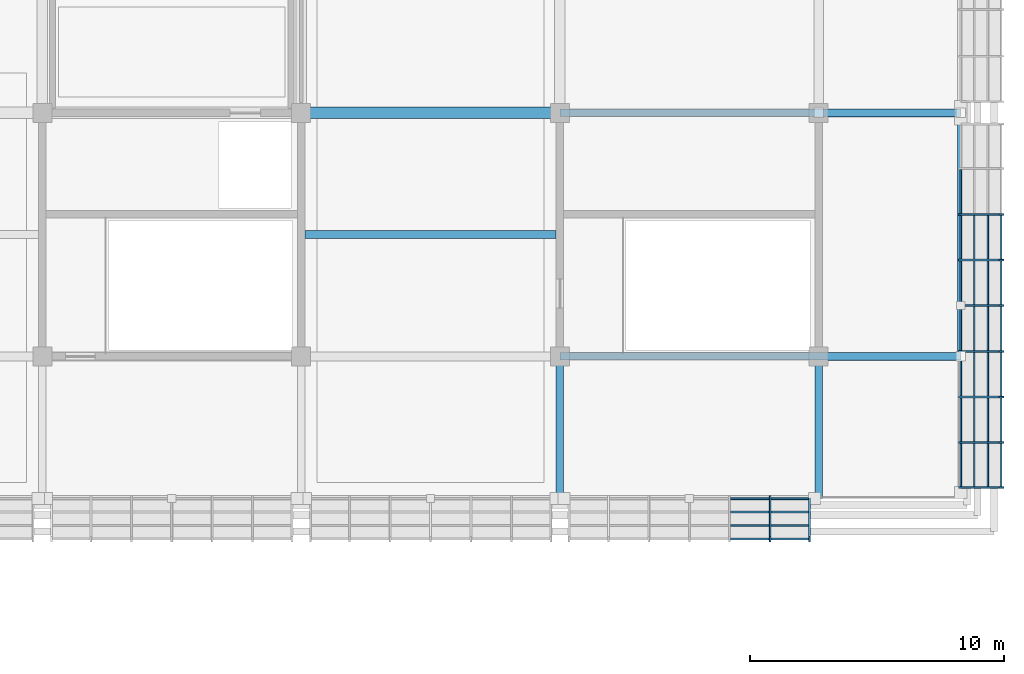
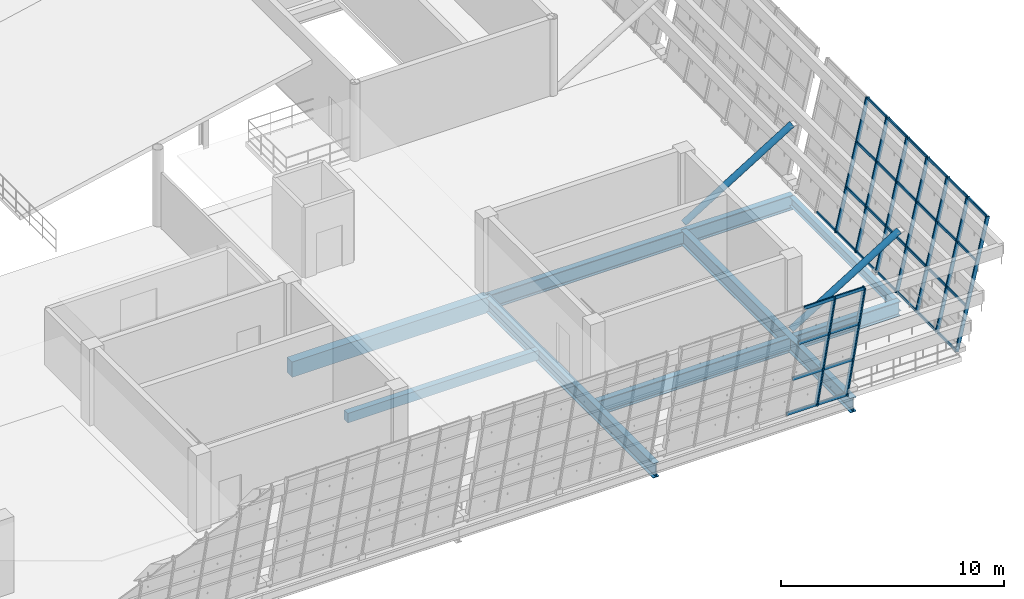
# One storey, part 65 of 157: 44 members, 7 beams, 2 elements without a shape of their own.
"""IFC4 building model written with IfcOpenShell, lengths in metres."""

from ifc_helpers import new_model, si_unit, direction, frame, origin, origin_2d, place, context, subcontext, project, spatial, rectangle, hollow_rectangle, hollow_circle, i_section, extrude, material, material_profile, profile_set, type_object, element, aggregate, save


model = new_model("IFC4")

# Units and contexts
model_context = context("Model", 3, precision=1e-05, world=origin(), true_north=direction((0.0, 1.0)))
body_context = subcontext(model_context, "Body", "Model", "MODEL_VIEW")
ifc_project = project(units=[si_unit("LENGTHUNIT", "METRE"), si_unit("AREAUNIT", "SQUARE_METRE"), si_unit("VOLUMEUNIT", "CUBIC_METRE"), si_unit("PLANEANGLEUNIT", "RADIAN"), si_unit("MASSUNIT", "GRAM", prefix="KILO")], contexts=[model_context])

# Site, building, storey
site_placement = place(None, origin())
site = spatial("IfcSite", under=ifc_project, at=site_placement, CompositionType="ELEMENT")
building_placement = place(site_placement, origin())
building = spatial("IfcBuilding", under=site, at=building_placement, Name="Brelvane Convention Centre", CompositionType="ELEMENT")
storey_placement = place(building_placement, frame((0.0, 0.0, 10.800048828125)))
storey = spatial("IfcBuildingStorey", under=building, at=storey_placement, Name="L02", CompositionType="ELEMENT", Elevation=10.800048828125)

# Curtain wall, members
ifc_material_1 = material(Name="Anodised Aluminium Alloy 6063-T6", Category="aluminium")
curtain_wall_type_1 = type_object("IfcCurtainWallType", Name="Curtain Wall CW-HULL-S", PredefinedType="USERDEFINED", material=ifc_material_1)
curtain_wall_1_placement = place(storey_placement, origin())
curtain_wall_1 = element("IfcCurtainWall", 1, at=curtain_wall_1_placement, inside=storey, type_object=curtain_wall_type_1, Name="Curtain Wall CW-HULL-S L02-HULL-S-L02-22", ObjectType="UNITISED", PredefinedType="USERDEFINED")
ifc_material_2 = material(Name="Anodised Aluminium Alloy 6063-T6", Category="aluminium")
ifc_material_profile_1 = material_profile(ifc_material_2, hollow_rectangle(XDim=0.080078125, YDim=0.239990234375, WallThickness=0.006103515625, InnerFilletRadius=0.006103515625, OuterFilletRadius=0.011962890625, at=origin_2d()), Name="ALU-M 240x80x6.0")
ifc_profile_set_1 = profile_set([ifc_material_profile_1], Name="Anodised Aluminium Alloy 6063-T6")
member_type_1 = type_object("IfcMemberType", Name="Curtain Mullion CW-M1", PredefinedType="MULLION", material=ifc_profile_set_1)
member_1_placement = place(storey_placement, frame((222.486572265625, 13.60009765625, 0.0), z_axis=(0.0, -0.228360410362, 0.973576665178), x_axis=(1.0, 0.0, 0.0)))
member_1 = element("IfcMember", 2, at=member_1_placement, type_object=member_type_1, Name="CW-HULL-S mullion 6", PredefinedType="MULLION", context=body_context, shape_type="SweptSolid", body=[
    extrude(hollow_rectangle(XDim=0.080078125, YDim=0.239990234375, WallThickness=0.006103515625, InnerFilletRadius=0.006103515625, OuterFilletRadius=0.011962890625, at=origin_2d()), origin(), (0.0, 0.0, 1.0), 7.03564453125),
])
member_2_placement = place(storey_placement, frame((224.0400390625, 13.60009765625, 0.0), z_axis=(0.0, -0.228360410362, 0.973576665178), x_axis=(1.0, 0.0, 0.0)))
member_2 = element("IfcMember", 3, at=member_2_placement, type_object=member_type_1, Name="CW-HULL-S mullion 7", PredefinedType="MULLION", context=body_context, shape_type="SweptSolid", body=[
    extrude(hollow_rectangle(XDim=0.080078125, YDim=0.239990234375, WallThickness=0.006103515625, InnerFilletRadius=0.006103515625, OuterFilletRadius=0.011962890625, at=origin_2d()), origin(), (0.0, 0.0, 1.0), 7.03564453125),
])

ifc_material_3 = material(Name="Anodised Aluminium Alloy 6063-T6", Category="aluminium")
curtain_wall_type_2 = type_object("IfcCurtainWallType", Name="Curtain Wall CW-PLEN-E", PredefinedType="USERDEFINED", material=ifc_material_3)
curtain_wall_2_placement = place(storey_placement, origin())
curtain_wall_2 = element("IfcCurtainWall", 4, at=curtain_wall_2_placement, inside=storey, type_object=curtain_wall_type_2, Name="Curtain Wall CW-PLEN-E L02-HULL-E-L02-1", ObjectType="UNITISED", PredefinedType="USERDEFINED")
ifc_material_4 = material(Name="Anodised Aluminium Alloy 6063-T6", Category="aluminium")
ifc_material_profile_2 = material_profile(ifc_material_4, hollow_rectangle(XDim=0.074951171875, YDim=0.199951171875, WallThickness=0.0048828125, InnerFilletRadius=0.0048828125, OuterFilletRadius=0.010009765625, at=origin_2d()), Name="ALU-M 200x75x5.0")
ifc_profile_set_2 = profile_set([ifc_material_profile_2], Name="Anodised Aluminium Alloy 6063-T6")
member_type_2 = type_object("IfcMemberType", Name="Curtain Mullion CW-M2", PredefinedType="MULLION", material=ifc_profile_set_2)
member_3_placement = place(storey_placement, frame((230.0, 14.03759765625, 0.0), z_axis=(0.228360410362, 0.0, 0.973576665178), x_axis=(0.0, 1.0, 0.0)))
member_3 = element("IfcMember", 5, at=member_3_placement, type_object=member_type_2, Name="CW-PLEN-E mullion 1", PredefinedType="MULLION", context=body_context, shape_type="SweptSolid", body=[
    extrude(hollow_rectangle(XDim=0.074951171875, YDim=0.199951171875, WallThickness=0.0048828125, InnerFilletRadius=0.0048828125, OuterFilletRadius=0.010009765625, at=origin_2d()), origin(), (0.0, 0.0, 1.0), 7.03564453125),
])
member_4_placement = place(storey_placement, frame((230.0, 15.800048828125, 0.0), z_axis=(0.228360410362, 0.0, 0.973576665178), x_axis=(0.0, 1.0, 0.0)))
member_4 = element("IfcMember", 6, at=member_4_placement, type_object=member_type_2, Name="CW-PLEN-E mullion 2", PredefinedType="MULLION", context=body_context, shape_type="SweptSolid", body=[
    extrude(hollow_rectangle(XDim=0.074951171875, YDim=0.199951171875, WallThickness=0.0048828125, InnerFilletRadius=0.0048828125, OuterFilletRadius=0.010009765625, at=origin_2d()), origin(), (0.0, 0.0, 1.0), 7.03564453125),
])
member_5_placement = place(storey_placement, frame((230.0, 17.60009765625, 0.0), z_axis=(0.228360410362, 0.0, 0.973576665178), x_axis=(0.0, 1.0, 0.0)))
member_5 = element("IfcMember", 7, at=member_5_placement, type_object=member_type_2, Name="CW-PLEN-E mullion 3", PredefinedType="MULLION", context=body_context, shape_type="SweptSolid", body=[
    extrude(hollow_rectangle(XDim=0.074951171875, YDim=0.199951171875, WallThickness=0.0048828125, InnerFilletRadius=0.0048828125, OuterFilletRadius=0.010009765625, at=origin_2d()), origin(), (0.0, 0.0, 1.0), 7.03564453125),
])
member_6_placement = place(storey_placement, frame((230.0, 19.39990234375, 0.0), z_axis=(0.228360410362, 0.0, 0.973576665178), x_axis=(0.0, 1.0, 0.0)))
member_6 = element("IfcMember", 8, at=member_6_placement, type_object=member_type_2, Name="CW-PLEN-E mullion 4", PredefinedType="MULLION", context=body_context, shape_type="SweptSolid", body=[
    extrude(hollow_rectangle(XDim=0.074951171875, YDim=0.199951171875, WallThickness=0.0048828125, InnerFilletRadius=0.0048828125, OuterFilletRadius=0.010009765625, at=origin_2d()), origin(), (0.0, 0.0, 1.0), 7.03564453125),
])
member_7_placement = place(storey_placement, frame((230.0, 21.199951171875, 0.0), z_axis=(0.228360410362, 0.0, 0.973576665178), x_axis=(0.0, 1.0, 0.0)))
member_7 = element("IfcMember", 9, at=member_7_placement, type_object=member_type_2, Name="CW-PLEN-E mullion 5", PredefinedType="MULLION", context=body_context, shape_type="SweptSolid", body=[
    extrude(hollow_rectangle(XDim=0.074951171875, YDim=0.199951171875, WallThickness=0.0048828125, InnerFilletRadius=0.0048828125, OuterFilletRadius=0.010009765625, at=origin_2d()), origin(), (0.0, 0.0, 1.0), 7.03564453125),
])
member_8_placement = place(storey_placement, frame((230.0, 23.0, 0.0), z_axis=(0.228360410362, 0.0, 0.973576665178), x_axis=(0.0, 1.0, 0.0)))
member_8 = element("IfcMember", 10, at=member_8_placement, type_object=member_type_2, Name="CW-PLEN-E mullion 6", PredefinedType="MULLION", context=body_context, shape_type="SweptSolid", body=[
    extrude(hollow_rectangle(XDim=0.074951171875, YDim=0.199951171875, WallThickness=0.0048828125, InnerFilletRadius=0.0048828125, OuterFilletRadius=0.010009765625, at=origin_2d()), origin(), (0.0, 0.0, 1.0), 7.03564453125),
])
member_9_placement = place(storey_placement, frame((230.0, 24.800048828125, 0.0), z_axis=(0.228360410362, 0.0, 0.973576665178), x_axis=(0.0, 1.0, 0.0)))
member_9 = element("IfcMember", 11, at=member_9_placement, type_object=member_type_2, Name="CW-PLEN-E mullion 7", PredefinedType="MULLION", context=body_context, shape_type="SweptSolid", body=[
    extrude(hollow_rectangle(XDim=0.074951171875, YDim=0.199951171875, WallThickness=0.0048828125, InnerFilletRadius=0.0048828125, OuterFilletRadius=0.010009765625, at=origin_2d()), origin(), (0.0, 0.0, 1.0), 7.03564453125),
])

# Member
ifc_material_5 = material(Name="Anodised Aluminium Alloy 6063-T6", Category="aluminium")
ifc_material_profile_3 = material_profile(ifc_material_5, hollow_rectangle(XDim=0.080078125, YDim=0.179931640625, WallThickness=0.0048828125, InnerFilletRadius=0.0048828125, OuterFilletRadius=0.010009765625, at=origin_2d()), Name="ALU-T 180x80x5.0")
ifc_profile_set_3 = profile_set([ifc_material_profile_3], Name="Anodised Aluminium Alloy 6063-T6")
member_type_3 = type_object("IfcMemberType", Name="Curtain Transom CW-T1", PredefinedType="USERDEFINED", material=ifc_profile_set_3)
member_10_placement = place(storey_placement, frame((220.933349609375, 13.590576171875, 0.0400390625), z_axis=(1.0, 0.0, 0.0), x_axis=(0.0, 1.0, 0.0)))
member_10 = element("IfcMember", 12, at=member_10_placement, type_object=member_type_3, Name="CW-HULL-S transom 5.1", ObjectType="TRANSOM", PredefinedType="USERDEFINED", context=body_context, shape_type="SweptSolid", body=[
    extrude(hollow_rectangle(XDim=0.080078125, YDim=0.179931640625, WallThickness=0.0048828125, InnerFilletRadius=0.0048828125, OuterFilletRadius=0.010009765625, at=origin_2d()), origin(), (0.0, 0.0, 1.0), 1.513427734375),
])

member_11_placement = place(storey_placement, frame((220.933349609375, 13.064453125, 2.283203125), z_axis=(1.0, 0.0, 0.0), x_axis=(0.0, 1.0, 0.0)))
member_11 = element("IfcMember", 13, at=member_11_placement, type_object=member_type_3, Name="CW-HULL-S transom 5.2", ObjectType="TRANSOM", PredefinedType="USERDEFINED", context=body_context, shape_type="SweptSolid", body=[
    extrude(hollow_rectangle(XDim=0.080078125, YDim=0.179931640625, WallThickness=0.0048828125, InnerFilletRadius=0.0048828125, OuterFilletRadius=0.010009765625, at=origin_2d()), origin(), (0.0, 0.0, 1.0), 1.513427734375),
])

member_12_placement = place(storey_placement, frame((220.933349609375, 12.52880859375, 4.566650390625), z_axis=(1.0, 0.0, 0.0), x_axis=(0.0, 1.0, 0.0)))
member_12 = element("IfcMember", 14, at=member_12_placement, type_object=member_type_3, Name="CW-HULL-S transom 5.3", ObjectType="TRANSOM", PredefinedType="USERDEFINED", context=body_context, shape_type="SweptSolid", body=[
    extrude(hollow_rectangle(XDim=0.080078125, YDim=0.179931640625, WallThickness=0.0048828125, InnerFilletRadius=0.0048828125, OuterFilletRadius=0.010009765625, at=origin_2d()), origin(), (0.0, 0.0, 1.0), 1.513427734375),
])

member_13_placement = place(storey_placement, frame((220.933349609375, 12.002685546875, 6.81005859375), z_axis=(1.0, 0.0, 0.0), x_axis=(0.0, 1.0, 0.0)))
member_13 = element("IfcMember", 15, at=member_13_placement, type_object=member_type_3, Name="CW-HULL-S transom 5.4", ObjectType="TRANSOM", PredefinedType="USERDEFINED", context=body_context, shape_type="SweptSolid", body=[
    extrude(hollow_rectangle(XDim=0.080078125, YDim=0.179931640625, WallThickness=0.0048828125, InnerFilletRadius=0.0048828125, OuterFilletRadius=0.010009765625, at=origin_2d()), origin(), (0.0, 0.0, 1.0), 1.513427734375),
])

member_14_placement = place(storey_placement, frame((222.526611328125, 13.590576171875, 0.0400390625), z_axis=(1.0, 0.0, 0.0), x_axis=(0.0, 1.0, 0.0)))
member_14 = element("IfcMember", 16, at=member_14_placement, type_object=member_type_3, Name="CW-HULL-S transom 6.1", ObjectType="TRANSOM", PredefinedType="USERDEFINED", context=body_context, shape_type="SweptSolid", body=[
    extrude(hollow_rectangle(XDim=0.080078125, YDim=0.179931640625, WallThickness=0.0048828125, InnerFilletRadius=0.0048828125, OuterFilletRadius=0.010009765625, at=origin_2d()), origin(), (0.0, 0.0, 1.0), 1.473388671875),
])

member_15_placement = place(storey_placement, frame((222.526611328125, 13.064453125, 2.283203125), z_axis=(1.0, 0.0, 0.0), x_axis=(0.0, 1.0, 0.0)))
member_15 = element("IfcMember", 17, at=member_15_placement, type_object=member_type_3, Name="CW-HULL-S transom 6.2", ObjectType="TRANSOM", PredefinedType="USERDEFINED", context=body_context, shape_type="SweptSolid", body=[
    extrude(hollow_rectangle(XDim=0.080078125, YDim=0.179931640625, WallThickness=0.0048828125, InnerFilletRadius=0.0048828125, OuterFilletRadius=0.010009765625, at=origin_2d()), origin(), (0.0, 0.0, 1.0), 1.473388671875),
])

member_16_placement = place(storey_placement, frame((222.526611328125, 12.52880859375, 4.566650390625), z_axis=(1.0, 0.0, 0.0), x_axis=(0.0, 1.0, 0.0)))
member_16 = element("IfcMember", 18, at=member_16_placement, type_object=member_type_3, Name="CW-HULL-S transom 6.3", ObjectType="TRANSOM", PredefinedType="USERDEFINED", context=body_context, shape_type="SweptSolid", body=[
    extrude(hollow_rectangle(XDim=0.080078125, YDim=0.179931640625, WallThickness=0.0048828125, InnerFilletRadius=0.0048828125, OuterFilletRadius=0.010009765625, at=origin_2d()), origin(), (0.0, 0.0, 1.0), 1.473388671875),
])

member_17_placement = place(storey_placement, frame((222.526611328125, 12.002685546875, 6.81005859375), z_axis=(1.0, 0.0, 0.0), x_axis=(0.0, 1.0, 0.0)))
member_17 = element("IfcMember", 19, at=member_17_placement, type_object=member_type_3, Name="CW-HULL-S transom 6.4", ObjectType="TRANSOM", PredefinedType="USERDEFINED", context=body_context, shape_type="SweptSolid", body=[
    extrude(hollow_rectangle(XDim=0.080078125, YDim=0.179931640625, WallThickness=0.0048828125, InnerFilletRadius=0.0048828125, OuterFilletRadius=0.010009765625, at=origin_2d()), origin(), (0.0, 0.0, 1.0), 1.473388671875),
])

aggregate(curtain_wall_1, [member_1, member_2, member_10, member_11, member_12, member_13, member_14, member_15, member_16, member_17])

ifc_material_6 = material(Name="Anodised Aluminium Alloy 6063-T6", Category="aluminium")
ifc_material_profile_4 = material_profile(ifc_material_6, hollow_rectangle(XDim=0.070068359375, YDim=0.14990234375, WallThickness=0.00439453125, InnerFilletRadius=0.00439453125, OuterFilletRadius=0.009033203125, at=origin_2d()), Name="ALU-T 150x70x4.5")
ifc_profile_set_4 = profile_set([ifc_material_profile_4], Name="Anodised Aluminium Alloy 6063-T6")
member_type_4 = type_object("IfcMemberType", Name="Curtain Transom CW-T2", PredefinedType="USERDEFINED", material=ifc_profile_set_4)
member_18_placement = place(storey_placement, frame((230.00830078125, 14.074951171875, 0.034912109375), z_axis=(0.0, 1.0, 0.0), x_axis=(-1.0, 0.0, 0.0)))
member_18 = element("IfcMember", 20, at=member_18_placement, type_object=member_type_4, Name="CW-PLEN-E transom 1.1", ObjectType="TRANSOM", PredefinedType="USERDEFINED", context=body_context, shape_type="SweptSolid", body=[
    extrude(hollow_rectangle(XDim=0.070068359375, YDim=0.14990234375, WallThickness=0.00439453125, InnerFilletRadius=0.00439453125, OuterFilletRadius=0.009033203125, at=origin_2d()), origin(), (0.0, 0.0, 1.0), 1.6875),
])

member_19_placement = place(storey_placement, frame((230.53564453125, 14.074951171875, 2.283203125), z_axis=(0.0, 1.0, 0.0), x_axis=(-1.0, 0.0, 0.0)))
member_19 = element("IfcMember", 21, at=member_19_placement, type_object=member_type_4, Name="CW-PLEN-E transom 1.2", ObjectType="TRANSOM", PredefinedType="USERDEFINED", context=body_context, shape_type="SweptSolid", body=[
    extrude(hollow_rectangle(XDim=0.070068359375, YDim=0.14990234375, WallThickness=0.00439453125, InnerFilletRadius=0.00439453125, OuterFilletRadius=0.009033203125, at=origin_2d()), origin(), (0.0, 0.0, 1.0), 1.6875),
])

member_20_placement = place(storey_placement, frame((231.071044921875, 14.074951171875, 4.566650390625), z_axis=(0.0, 1.0, 0.0), x_axis=(-1.0, 0.0, 0.0)))
member_20 = element("IfcMember", 22, at=member_20_placement, type_object=member_type_4, Name="CW-PLEN-E transom 1.3", ObjectType="TRANSOM", PredefinedType="USERDEFINED", context=body_context, shape_type="SweptSolid", body=[
    extrude(hollow_rectangle(XDim=0.070068359375, YDim=0.14990234375, WallThickness=0.00439453125, InnerFilletRadius=0.00439453125, OuterFilletRadius=0.009033203125, at=origin_2d()), origin(), (0.0, 0.0, 1.0), 1.6875),
])

member_21_placement = place(storey_placement, frame((231.598388671875, 14.074951171875, 6.81494140625), z_axis=(0.0, 1.0, 0.0), x_axis=(-1.0, 0.0, 0.0)))
member_21 = element("IfcMember", 23, at=member_21_placement, type_object=member_type_4, Name="CW-PLEN-E transom 1.4", ObjectType="TRANSOM", PredefinedType="USERDEFINED", context=body_context, shape_type="SweptSolid", body=[
    extrude(hollow_rectangle(XDim=0.070068359375, YDim=0.14990234375, WallThickness=0.00439453125, InnerFilletRadius=0.00439453125, OuterFilletRadius=0.009033203125, at=origin_2d()), origin(), (0.0, 0.0, 1.0), 1.6875),
])

member_22_placement = place(storey_placement, frame((230.00830078125, 15.83740234375, 0.034912109375), z_axis=(0.0, 1.0, 0.0), x_axis=(-1.0, 0.0, 0.0)))
member_22 = element("IfcMember", 24, at=member_22_placement, type_object=member_type_4, Name="CW-PLEN-E transom 2.1", ObjectType="TRANSOM", PredefinedType="USERDEFINED", context=body_context, shape_type="SweptSolid", body=[
    extrude(hollow_rectangle(XDim=0.070068359375, YDim=0.14990234375, WallThickness=0.00439453125, InnerFilletRadius=0.00439453125, OuterFilletRadius=0.009033203125, at=origin_2d()), origin(), (0.0, 0.0, 1.0), 1.72509765625),
])

member_23_placement = place(storey_placement, frame((230.53564453125, 15.83740234375, 2.283203125), z_axis=(0.0, 1.0, 0.0), x_axis=(-1.0, 0.0, 0.0)))
member_23 = element("IfcMember", 25, at=member_23_placement, type_object=member_type_4, Name="CW-PLEN-E transom 2.2", ObjectType="TRANSOM", PredefinedType="USERDEFINED", context=body_context, shape_type="SweptSolid", body=[
    extrude(hollow_rectangle(XDim=0.070068359375, YDim=0.14990234375, WallThickness=0.00439453125, InnerFilletRadius=0.00439453125, OuterFilletRadius=0.009033203125, at=origin_2d()), origin(), (0.0, 0.0, 1.0), 1.72509765625),
])

member_24_placement = place(storey_placement, frame((231.071044921875, 15.83740234375, 4.566650390625), z_axis=(0.0, 1.0, 0.0), x_axis=(-1.0, 0.0, 0.0)))
member_24 = element("IfcMember", 26, at=member_24_placement, type_object=member_type_4, Name="CW-PLEN-E transom 2.3", ObjectType="TRANSOM", PredefinedType="USERDEFINED", context=body_context, shape_type="SweptSolid", body=[
    extrude(hollow_rectangle(XDim=0.070068359375, YDim=0.14990234375, WallThickness=0.00439453125, InnerFilletRadius=0.00439453125, OuterFilletRadius=0.009033203125, at=origin_2d()), origin(), (0.0, 0.0, 1.0), 1.72509765625),
])

member_25_placement = place(storey_placement, frame((231.598388671875, 15.83740234375, 6.81494140625), z_axis=(0.0, 1.0, 0.0), x_axis=(-1.0, 0.0, 0.0)))
member_25 = element("IfcMember", 27, at=member_25_placement, type_object=member_type_4, Name="CW-PLEN-E transom 2.4", ObjectType="TRANSOM", PredefinedType="USERDEFINED", context=body_context, shape_type="SweptSolid", body=[
    extrude(hollow_rectangle(XDim=0.070068359375, YDim=0.14990234375, WallThickness=0.00439453125, InnerFilletRadius=0.00439453125, OuterFilletRadius=0.009033203125, at=origin_2d()), origin(), (0.0, 0.0, 1.0), 1.72509765625),
])

member_26_placement = place(storey_placement, frame((230.00830078125, 17.637451171875, 0.034912109375), z_axis=(0.0, 1.0, 0.0), x_axis=(-1.0, 0.0, 0.0)))
member_26 = element("IfcMember", 28, at=member_26_placement, type_object=member_type_4, Name="CW-PLEN-E transom 3.1", ObjectType="TRANSOM", PredefinedType="USERDEFINED", context=body_context, shape_type="SweptSolid", body=[
    extrude(hollow_rectangle(XDim=0.070068359375, YDim=0.14990234375, WallThickness=0.00439453125, InnerFilletRadius=0.00439453125, OuterFilletRadius=0.009033203125, at=origin_2d()), origin(), (0.0, 0.0, 1.0), 1.72509765625),
])

member_27_placement = place(storey_placement, frame((230.53564453125, 17.637451171875, 2.283203125), z_axis=(0.0, 1.0, 0.0), x_axis=(-1.0, 0.0, 0.0)))
member_27 = element("IfcMember", 29, at=member_27_placement, type_object=member_type_4, Name="CW-PLEN-E transom 3.2", ObjectType="TRANSOM", PredefinedType="USERDEFINED", context=body_context, shape_type="SweptSolid", body=[
    extrude(hollow_rectangle(XDim=0.070068359375, YDim=0.14990234375, WallThickness=0.00439453125, InnerFilletRadius=0.00439453125, OuterFilletRadius=0.009033203125, at=origin_2d()), origin(), (0.0, 0.0, 1.0), 1.72509765625),
])

member_28_placement = place(storey_placement, frame((231.071044921875, 17.637451171875, 4.566650390625), z_axis=(0.0, 1.0, 0.0), x_axis=(-1.0, 0.0, 0.0)))
member_28 = element("IfcMember", 30, at=member_28_placement, type_object=member_type_4, Name="CW-PLEN-E transom 3.3", ObjectType="TRANSOM", PredefinedType="USERDEFINED", context=body_context, shape_type="SweptSolid", body=[
    extrude(hollow_rectangle(XDim=0.070068359375, YDim=0.14990234375, WallThickness=0.00439453125, InnerFilletRadius=0.00439453125, OuterFilletRadius=0.009033203125, at=origin_2d()), origin(), (0.0, 0.0, 1.0), 1.72509765625),
])

member_29_placement = place(storey_placement, frame((231.598388671875, 17.637451171875, 6.81494140625), z_axis=(0.0, 1.0, 0.0), x_axis=(-1.0, 0.0, 0.0)))
member_29 = element("IfcMember", 31, at=member_29_placement, type_object=member_type_4, Name="CW-PLEN-E transom 3.4", ObjectType="TRANSOM", PredefinedType="USERDEFINED", context=body_context, shape_type="SweptSolid", body=[
    extrude(hollow_rectangle(XDim=0.070068359375, YDim=0.14990234375, WallThickness=0.00439453125, InnerFilletRadius=0.00439453125, OuterFilletRadius=0.009033203125, at=origin_2d()), origin(), (0.0, 0.0, 1.0), 1.72509765625),
])

member_30_placement = place(storey_placement, frame((230.00830078125, 19.4375, 0.034912109375), z_axis=(0.0, 1.0, 0.0), x_axis=(-1.0, 0.0, 0.0)))
member_30 = element("IfcMember", 32, at=member_30_placement, type_object=member_type_4, Name="CW-PLEN-E transom 4.1", ObjectType="TRANSOM", PredefinedType="USERDEFINED", context=body_context, shape_type="SweptSolid", body=[
    extrude(hollow_rectangle(XDim=0.070068359375, YDim=0.14990234375, WallThickness=0.00439453125, InnerFilletRadius=0.00439453125, OuterFilletRadius=0.009033203125, at=origin_2d()), origin(), (0.0, 0.0, 1.0), 1.72509765625),
])

member_31_placement = place(storey_placement, frame((230.53564453125, 19.4375, 2.283203125), z_axis=(0.0, 1.0, 0.0), x_axis=(-1.0, 0.0, 0.0)))
member_31 = element("IfcMember", 33, at=member_31_placement, type_object=member_type_4, Name="CW-PLEN-E transom 4.2", ObjectType="TRANSOM", PredefinedType="USERDEFINED", context=body_context, shape_type="SweptSolid", body=[
    extrude(hollow_rectangle(XDim=0.070068359375, YDim=0.14990234375, WallThickness=0.00439453125, InnerFilletRadius=0.00439453125, OuterFilletRadius=0.009033203125, at=origin_2d()), origin(), (0.0, 0.0, 1.0), 1.72509765625),
])

member_32_placement = place(storey_placement, frame((231.071044921875, 19.4375, 4.566650390625), z_axis=(0.0, 1.0, 0.0), x_axis=(-1.0, 0.0, 0.0)))
member_32 = element("IfcMember", 34, at=member_32_placement, type_object=member_type_4, Name="CW-PLEN-E transom 4.3", ObjectType="TRANSOM", PredefinedType="USERDEFINED", context=body_context, shape_type="SweptSolid", body=[
    extrude(hollow_rectangle(XDim=0.070068359375, YDim=0.14990234375, WallThickness=0.00439453125, InnerFilletRadius=0.00439453125, OuterFilletRadius=0.009033203125, at=origin_2d()), origin(), (0.0, 0.0, 1.0), 1.72509765625),
])

member_33_placement = place(storey_placement, frame((231.598388671875, 19.4375, 6.81494140625), z_axis=(0.0, 1.0, 0.0), x_axis=(-1.0, 0.0, 0.0)))
member_33 = element("IfcMember", 35, at=member_33_placement, type_object=member_type_4, Name="CW-PLEN-E transom 4.4", ObjectType="TRANSOM", PredefinedType="USERDEFINED", context=body_context, shape_type="SweptSolid", body=[
    extrude(hollow_rectangle(XDim=0.070068359375, YDim=0.14990234375, WallThickness=0.00439453125, InnerFilletRadius=0.00439453125, OuterFilletRadius=0.009033203125, at=origin_2d()), origin(), (0.0, 0.0, 1.0), 1.72509765625),
])

member_34_placement = place(storey_placement, frame((230.00830078125, 21.237548828125, 0.034912109375), z_axis=(0.0, 1.0, 0.0), x_axis=(-1.0, 0.0, 0.0)))
member_34 = element("IfcMember", 36, at=member_34_placement, type_object=member_type_4, Name="CW-PLEN-E transom 5.1", ObjectType="TRANSOM", PredefinedType="USERDEFINED", context=body_context, shape_type="SweptSolid", body=[
    extrude(hollow_rectangle(XDim=0.070068359375, YDim=0.14990234375, WallThickness=0.00439453125, InnerFilletRadius=0.00439453125, OuterFilletRadius=0.009033203125, at=origin_2d()), origin(), (0.0, 0.0, 1.0), 1.724853515625),
])

member_35_placement = place(storey_placement, frame((230.53564453125, 21.237548828125, 2.283203125), z_axis=(0.0, 1.0, 0.0), x_axis=(-1.0, 0.0, 0.0)))
member_35 = element("IfcMember", 37, at=member_35_placement, type_object=member_type_4, Name="CW-PLEN-E transom 5.2", ObjectType="TRANSOM", PredefinedType="USERDEFINED", context=body_context, shape_type="SweptSolid", body=[
    extrude(hollow_rectangle(XDim=0.070068359375, YDim=0.14990234375, WallThickness=0.00439453125, InnerFilletRadius=0.00439453125, OuterFilletRadius=0.009033203125, at=origin_2d()), origin(), (0.0, 0.0, 1.0), 1.724853515625),
])

member_36_placement = place(storey_placement, frame((231.071044921875, 21.237548828125, 4.566650390625), z_axis=(0.0, 1.0, 0.0), x_axis=(-1.0, 0.0, 0.0)))
member_36 = element("IfcMember", 38, at=member_36_placement, type_object=member_type_4, Name="CW-PLEN-E transom 5.3", ObjectType="TRANSOM", PredefinedType="USERDEFINED", context=body_context, shape_type="SweptSolid", body=[
    extrude(hollow_rectangle(XDim=0.070068359375, YDim=0.14990234375, WallThickness=0.00439453125, InnerFilletRadius=0.00439453125, OuterFilletRadius=0.009033203125, at=origin_2d()), origin(), (0.0, 0.0, 1.0), 1.724853515625),
])

member_37_placement = place(storey_placement, frame((231.598388671875, 21.237548828125, 6.81494140625), z_axis=(0.0, 1.0, 0.0), x_axis=(-1.0, 0.0, 0.0)))
member_37 = element("IfcMember", 39, at=member_37_placement, type_object=member_type_4, Name="CW-PLEN-E transom 5.4", ObjectType="TRANSOM", PredefinedType="USERDEFINED", context=body_context, shape_type="SweptSolid", body=[
    extrude(hollow_rectangle(XDim=0.070068359375, YDim=0.14990234375, WallThickness=0.00439453125, InnerFilletRadius=0.00439453125, OuterFilletRadius=0.009033203125, at=origin_2d()), origin(), (0.0, 0.0, 1.0), 1.724853515625),
])

member_38_placement = place(storey_placement, frame((230.00830078125, 23.03759765625, 0.034912109375), z_axis=(0.0, 1.0, 0.0), x_axis=(-1.0, 0.0, 0.0)))
member_38 = element("IfcMember", 40, at=member_38_placement, type_object=member_type_4, Name="CW-PLEN-E transom 6.1", ObjectType="TRANSOM", PredefinedType="USERDEFINED", context=body_context, shape_type="SweptSolid", body=[
    extrude(hollow_rectangle(XDim=0.070068359375, YDim=0.14990234375, WallThickness=0.00439453125, InnerFilletRadius=0.00439453125, OuterFilletRadius=0.009033203125, at=origin_2d()), origin(), (0.0, 0.0, 1.0), 1.724853515625),
])

member_39_placement = place(storey_placement, frame((230.53564453125, 23.03759765625, 2.283203125), z_axis=(0.0, 1.0, 0.0), x_axis=(-1.0, 0.0, 0.0)))
member_39 = element("IfcMember", 41, at=member_39_placement, type_object=member_type_4, Name="CW-PLEN-E transom 6.2", ObjectType="TRANSOM", PredefinedType="USERDEFINED", context=body_context, shape_type="SweptSolid", body=[
    extrude(hollow_rectangle(XDim=0.070068359375, YDim=0.14990234375, WallThickness=0.00439453125, InnerFilletRadius=0.00439453125, OuterFilletRadius=0.009033203125, at=origin_2d()), origin(), (0.0, 0.0, 1.0), 1.724853515625),
])

member_40_placement = place(storey_placement, frame((231.071044921875, 23.03759765625, 4.566650390625), z_axis=(0.0, 1.0, 0.0), x_axis=(-1.0, 0.0, 0.0)))
member_40 = element("IfcMember", 42, at=member_40_placement, type_object=member_type_4, Name="CW-PLEN-E transom 6.3", ObjectType="TRANSOM", PredefinedType="USERDEFINED", context=body_context, shape_type="SweptSolid", body=[
    extrude(hollow_rectangle(XDim=0.070068359375, YDim=0.14990234375, WallThickness=0.00439453125, InnerFilletRadius=0.00439453125, OuterFilletRadius=0.009033203125, at=origin_2d()), origin(), (0.0, 0.0, 1.0), 1.724853515625),
])

member_41_placement = place(storey_placement, frame((231.598388671875, 23.03759765625, 6.81494140625), z_axis=(0.0, 1.0, 0.0), x_axis=(-1.0, 0.0, 0.0)))
member_41 = element("IfcMember", 43, at=member_41_placement, type_object=member_type_4, Name="CW-PLEN-E transom 6.4", ObjectType="TRANSOM", PredefinedType="USERDEFINED", context=body_context, shape_type="SweptSolid", body=[
    extrude(hollow_rectangle(XDim=0.070068359375, YDim=0.14990234375, WallThickness=0.00439453125, InnerFilletRadius=0.00439453125, OuterFilletRadius=0.009033203125, at=origin_2d()), origin(), (0.0, 0.0, 1.0), 1.724853515625),
])

member_42_placement = place(storey_placement, frame((230.00830078125, 24.83740234375, 0.034912109375), z_axis=(0.0, 1.0, 0.0), x_axis=(-1.0, 0.0, 0.0)))
member_42 = element("IfcMember", 44, at=member_42_placement, type_object=member_type_4, Name="CW-PLEN-E transom 7.1", ObjectType="TRANSOM", PredefinedType="USERDEFINED", context=body_context, shape_type="SweptSolid", body=[
    extrude(hollow_rectangle(XDim=0.070068359375, YDim=0.14990234375, WallThickness=0.00439453125, InnerFilletRadius=0.00439453125, OuterFilletRadius=0.009033203125, at=origin_2d()), origin(), (0.0, 0.0, 1.0), 1.72509765625),
])

aggregate(curtain_wall_2, [member_3, member_4, member_5, member_6, member_7, member_8, member_9, member_18, member_19, member_20, member_21, member_22, member_23, member_24, member_25, member_26, member_27, member_28, member_29, member_30, member_31, member_32, member_33, member_34, member_35, member_36, member_37, member_38, member_39, member_40, member_41, member_42])

# Beams
ifc_material_7 = material(Name="Concrete M40", Category="concrete")
ifc_material_profile_5 = material_profile(ifc_material_7, rectangle(XDim=0.4599609375, YDim=0.840087890625, at=origin_2d()), Name="RC 460x840")
ifc_profile_set_5 = profile_set([ifc_material_profile_5], Name="Concrete M40")
beam_type_1 = type_object("IfcBeamType", Name="RC Beam B-RC11 (RC 460x840)", PredefinedType="BEAM", material=ifc_profile_set_5)
beam_1_placement = place(storey_placement, frame((204.0, 28.800048828125, -0.699951171875), z_axis=(1.0, 0.0, 0.0), x_axis=(0.0, 1.0, 0.0)))
element("IfcBeam", 45, at=beam_1_placement, inside=storey, type_object=beam_type_1, Name="L02 Beam 21-22/D", PredefinedType="BEAM", context=body_context, shape_type="SweptSolid", body=[
    extrude(rectangle(XDim=0.4599609375, YDim=0.840087890625, at=origin_2d()), origin(), (0.0, 0.0, 1.0), 10.199951171875),
])
ifc_material_8 = material(Name="Concrete M40", Category="concrete")
ifc_material_profile_6 = material_profile(ifc_material_8, rectangle(XDim=0.320068359375, YDim=0.52001953125, at=origin_2d()), Name="RC 320x520")
ifc_profile_set_6 = profile_set([ifc_material_profile_6], Name="Concrete M40")
beam_type_2 = type_object("IfcBeamType", Name="RC Joist J-RC4 (RC 320x520)", PredefinedType="JOIST", material=ifc_profile_set_6)
beam_2_placement = place(storey_placement, frame((204.14990234375, 24.0, -0.5400390625), z_axis=(1.0, 0.0, 0.0), x_axis=(0.0, 1.0, 0.0)))
element("IfcBeam", 46, at=beam_2_placement, inside=storey, type_object=beam_type_2, Name="L02 Secondary Joist 21-22/CD", PredefinedType="JOIST", context=body_context, shape_type="SweptSolid", body=[
    extrude(rectangle(XDim=0.320068359375, YDim=0.52001953125, at=origin_2d()), origin(), (0.0, 0.0, 1.0), 9.900146484375),
])
ifc_material_9 = material(Name="Steel E450 (450 MPa)", Category="steel")
ifc_material_profile_7 = material_profile(ifc_material_9, i_section(OverallWidth=0.300048828125, OverallDepth=0.800048828125, WebThickness=0.015380859375, FlangeThickness=0.030029296875, FilletRadius=0.027099609375, at=origin_2d()), Name="NPB 800x300")
ifc_profile_set_7 = profile_set([ifc_material_profile_7], Name="Steel E450 (450 MPa)")
beam_type_3 = type_object("IfcBeamType", Name="Steel Beam B-ST2 (NPB 800x300)", PredefinedType="BEAM", material=ifc_profile_set_7)
for number, where, z_axis, x_axis, name in (
    (47, (214.199951171875, 13.60009765625, -0.679931640625), (0.0, 1.0, 0.0), (-1.0, 0.0, 0.0), "L02 Hull Cantilever Girder 22"),
    (48, (224.39990234375, 13.60009765625, -0.679931640625), (0.0, 1.0, 0.0), (-1.0, 0.0, 0.0), "L02 Hull Cantilever Girder 23"),
):
    element("IfcBeam", number, at=place(storey_placement, frame(where, z_axis=z_axis, x_axis=x_axis)), inside=storey, type_object=beam_type_3, Name=name, PredefinedType="BEAM", context=body_context, shape_type="SweptSolid", body=[
        extrude(i_section(OverallWidth=0.300048828125, OverallDepth=0.800048828125, WebThickness=0.015380859375, FlangeThickness=0.030029296875, FilletRadius=0.027099609375, at=origin_2d()), origin(), (0.0, 0.0, 1.0), 15.199951171875),
    ])
for number, where, z_axis, x_axis, name in (
    (49, (214.199951171875, 19.199951171875, -0.679931640625), (1.0, 0.0, 0.0), (0.0, 1.0, 0.0), "L02 Plenary East Cantilever Girder Y19"),
    (50, (214.199951171875, 28.800048828125, -0.679931640625), (1.0, 0.0, 0.0), (0.0, 1.0, 0.0), "L02 Plenary East Cantilever Girder Y28"),
):
    element("IfcBeam", number, at=place(storey_placement, frame(where, z_axis=z_axis, x_axis=x_axis)), inside=storey, type_object=beam_type_3, Name=name, PredefinedType="BEAM", context=body_context, shape_type="SweptSolid", body=[
        extrude(i_section(OverallWidth=0.300048828125, OverallDepth=0.800048828125, WebThickness=0.015380859375, FlangeThickness=0.030029296875, FilletRadius=0.027099609375, at=origin_2d()), origin(), (0.0, 0.0, 1.0), 15.800048828125),
    ])
ifc_material_10 = material(Name="Steel E350 (350 MPa)", Category="steel")
ifc_material_profile_8 = material_profile(ifc_material_10, i_section(OverallWidth=0.25, OverallDepth=0.5, WebThickness=0.010009765625, FlangeThickness=0.0146484375, FilletRadius=0.01611328125, at=origin_2d()), Name="ISWB 500")
ifc_profile_set_8 = profile_set([ifc_material_profile_8], Name="Steel E350 (350 MPa)")
beam_type_4 = type_object("IfcBeamType", Name="Steel Spandrel SP-ST1 (ISWB 500)", PredefinedType="SPANDREL", material=ifc_profile_set_8)
beam_3_placement = place(storey_placement, frame((230.0, 19.199951171875, -0.679931640625), z_axis=(0.0, 1.0, 0.0), x_axis=(-1.0, 0.0, 0.0)))
element("IfcBeam", 51, at=beam_3_placement, inside=storey, type_object=beam_type_4, Name="L02 Plenary Overhang Tip Spandrel 1", PredefinedType="SPANDREL", context=body_context, shape_type="SweptSolid", body=[
    extrude(i_section(OverallWidth=0.25, OverallDepth=0.5, WebThickness=0.010009765625, FlangeThickness=0.0146484375, FilletRadius=0.01611328125, at=origin_2d()), origin(), (0.0, 0.0, 1.0), 9.60009765625),
])

# Members
ifc_material_11 = material(Name="Steel E450 (450 MPa)", Category="steel")
ifc_material_profile_9 = material_profile(ifc_material_11, hollow_circle(Radius=0.161865234375, WallThickness=0.012451171875, at=origin_2d()), Name="CHS 323.9x12.5")
ifc_profile_set_9 = profile_set([ifc_material_profile_9], Name="Steel E450 (450 MPa)")
member_type_5 = type_object("IfcMemberType", Name="Steel Strut HS-ST2 (CHS 323.9x12.5)", PredefinedType="STRUT", material=ifc_profile_set_9)
for number, where, z_axis, x_axis, name in (
    (52, (224.39990234375, 19.199951171875, 0.050048828125), (0.851404606283, 0.0, 0.524509481707), (0.0, 1.0, 0.0), "Plenary East Overhang Raked Strut L03 Y19"),
    (53, (224.39990234375, 28.800048828125, 0.050048828125), (0.851404606283, 0.0, 0.524509481707), (0.0, 1.0, 0.0), "Plenary East Overhang Raked Strut L03 Y28"),
):
    element("IfcMember", number, at=place(storey_placement, frame(where, z_axis=z_axis, x_axis=x_axis)), inside=storey, type_object=member_type_5, Name=name, PredefinedType="STRUT", context=body_context, shape_type="SweptSolid", body=[
        extrude(hollow_circle(Radius=0.161865234375, WallThickness=0.012451171875, at=origin_2d()), origin(), (0.0, 0.0, 1.0), 6.577392578125),
    ])

save(model, "model.ifc")
